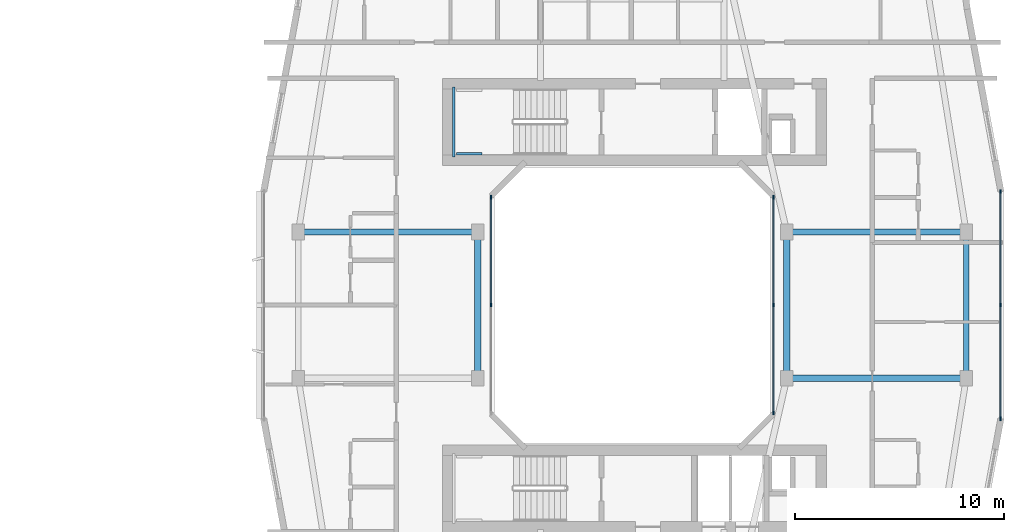
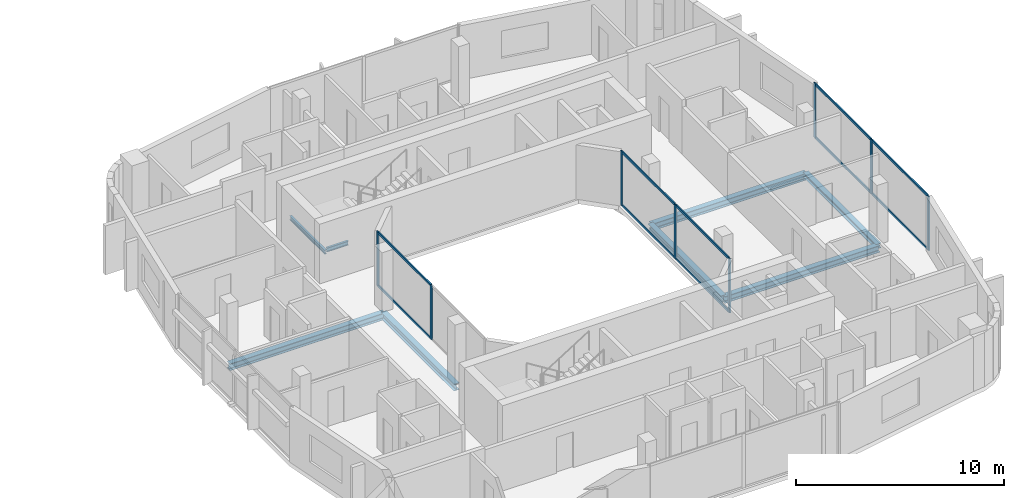
# One storey, part 9 of 25: 18 members, 8 beams, 3 elements without a shape of their own.
"""IFC4 building model written with IfcOpenShell, lengths in metres."""

from ifc_helpers import new_model, si_unit, derived_unit, direction, frame, origin, origin_2d, place, context, subcontext, project, spatial, rectangle, i_section, extrude, material, layer, layer_set, material_profile, profile_set, type_object, element, aggregate, save


model = new_model("IFC4")

# Units and contexts
model_context = context("Model", 3, precision=1e-05, world=origin(), true_north=direction((0.0, 1.0)))
body_context = subcontext(model_context, "Body", "Model", "MODEL_VIEW")
ifc_project = project(units=[si_unit("LENGTHUNIT", "METRE"), si_unit("AREAUNIT", "SQUARE_METRE"), si_unit("VOLUMEUNIT", "CUBIC_METRE"), si_unit("PLANEANGLEUNIT", "RADIAN"), si_unit("MASSUNIT", "GRAM", prefix="KILO"), derived_unit("THERMALTRANSMITTANCEUNIT", [(si_unit("POWERUNIT", "WATT"), 1), (si_unit("LENGTHUNIT", "METRE"), -2), (si_unit("THERMODYNAMICTEMPERATUREUNIT", "KELVIN"), -1)])], contexts=[model_context])

# Site, building, storey
site_placement = place(None, origin())
site = spatial("IfcSite", under=ifc_project, at=site_placement, CompositionType="ELEMENT")
building_placement = place(site_placement, origin())
building = spatial("IfcBuilding", under=site, at=building_placement, Name="Kivonza Crest Hotel", CompositionType="ELEMENT")
storey_placement = place(building_placement, frame((0.0, 0.0, 87.0)))
storey = spatial("IfcBuildingStorey", under=building, at=storey_placement, Name="L23", CompositionType="ELEMENT", Elevation=87.0)

# Beams
ifc_material_1 = material(Name="Steel S355", Category="steel")
ifc_material_profile_1 = material_profile(ifc_material_1, i_section(OverallWidth=0.280029296875, OverallDepth=0.280029296875, WebThickness=0.010498046875, FlangeThickness=0.01806640625, FilletRadius=0.02392578125, at=origin_2d()), Name="HEB 280")
ifc_profile_set_1 = profile_set([ifc_material_profile_1], Name="Steel S355")
beam_type_1 = type_object("IfcBeamType", Name="BM-HEB280", PredefinedType="SPANDREL", material=ifc_profile_set_1)
beam_1_placement = place(storey_placement, frame((93.0, 21.5, -0.389892578125), z_axis=(0.0, 1.0, 0.0), x_axis=(-1.0, 0.0, 0.0)))
element("IfcBeam", 1, at=beam_1_placement, inside=storey, type_object=beam_type_1, Name="Companion Tower T2 L23 perimeter spandrel E1-E2", PredefinedType="SPANDREL", context=body_context, shape_type="SweptSolid", body=[
    extrude(i_section(OverallWidth=0.280029296875, OverallDepth=0.280029296875, WebThickness=0.010498046875, FlangeThickness=0.01806640625, FilletRadius=0.02392578125, at=origin_2d()), origin(), (0.0, 0.0, 1.0), 7.0),
])
ifc_material_profile_2 = material_profile(ifc_material_1, i_section(OverallWidth=0.300048828125, OverallDepth=0.39990234375, WebThickness=0.013427734375, FlangeThickness=0.02392578125, FilletRadius=0.027099609375, at=origin_2d()), Name="HEB 400")
ifc_profile_set_2 = profile_set([ifc_material_profile_2], Name="Steel S355")
beam_type_2 = type_object("IfcBeamType", Name="BM-HEB400", PredefinedType="BEAM", material=ifc_profile_set_2)
beam_2_placement = place(storey_placement, frame((61.0, 28.5, -0.449951171875), z_axis=(1.0, 0.0, 0.0), x_axis=(0.0, 1.0, 0.0)))
element("IfcBeam", 2, at=beam_2_placement, inside=storey, type_object=beam_type_2, Name="Companion Tower T2 L23 girder W2-WL2", PredefinedType="BEAM", context=body_context, shape_type="SweptSolid", body=[
    extrude(i_section(OverallWidth=0.300048828125, OverallDepth=0.39990234375, WebThickness=0.013427734375, FlangeThickness=0.02392578125, FilletRadius=0.027099609375, at=origin_2d()), origin(), (0.0, 0.0, 1.0), 8.60009765625),
])
beam_3_placement = place(storey_placement, frame((69.60009765625, 21.5, -0.449951171875), z_axis=(0.0, 1.0, 0.0), x_axis=(-1.0, 0.0, 0.0)))
element("IfcBeam", 3, at=beam_3_placement, inside=storey, type_object=beam_type_2, Name="Companion Tower T2 L23 girder WL1-WL2", PredefinedType="BEAM", context=body_context, shape_type="SweptSolid", body=[
    extrude(i_section(OverallWidth=0.300048828125, OverallDepth=0.39990234375, WebThickness=0.013427734375, FlangeThickness=0.02392578125, FilletRadius=0.027099609375, at=origin_2d()), origin(), (0.0, 0.0, 1.0), 7.0),
])
for number, where, z_axis, x_axis, name in (
    (4, (84.39990234375, 21.5, -0.449951171875), (1.0, 0.0, 0.0), (0.0, 1.0, 0.0), "Companion Tower T2 L23 girder WR1-E1"),
    (5, (84.39990234375, 28.5, -0.449951171875), (1.0, 0.0, 0.0), (0.0, 1.0, 0.0), "Companion Tower T2 L23 girder WR2-E2"),
):
    element("IfcBeam", number, at=place(storey_placement, frame(where, z_axis=z_axis, x_axis=x_axis)), inside=storey, type_object=beam_type_2, Name=name, PredefinedType="BEAM", context=body_context, shape_type="SweptSolid", body=[
        extrude(i_section(OverallWidth=0.300048828125, OverallDepth=0.39990234375, WebThickness=0.013427734375, FlangeThickness=0.02392578125, FilletRadius=0.027099609375, at=origin_2d()), origin(), (0.0, 0.0, 1.0), 8.60009765625),
    ])
beam_4_placement = place(storey_placement, frame((84.39990234375, 21.5, -0.449951171875), z_axis=(0.0, 1.0, 0.0), x_axis=(-1.0, 0.0, 0.0)))
element("IfcBeam", 6, at=beam_4_placement, inside=storey, type_object=beam_type_2, Name="Companion Tower T2 L23 girder WR1-WR2", PredefinedType="BEAM", context=body_context, shape_type="SweptSolid", body=[
    extrude(i_section(OverallWidth=0.300048828125, OverallDepth=0.39990234375, WebThickness=0.013427734375, FlangeThickness=0.02392578125, FilletRadius=0.027099609375, at=origin_2d()), origin(), (0.0, 0.0, 1.0), 7.0),
])
ifc_material_profile_3 = material_profile(ifc_material_1, i_section(OverallWidth=0.1201171875, OverallDepth=0.239990234375, WebThickness=0.006103515625, FlangeThickness=0.009765625, FilletRadius=0.014892578125, at=origin_2d()), Name="IPE 240")
ifc_profile_set_3 = profile_set([ifc_material_profile_3], Name="Steel S355")
beam_type_3 = type_object("IfcBeamType", Name="BM-LLDG-240", PredefinedType="BEAM", material=ifc_profile_set_3)
beam_5_placement = place(storey_placement, frame((68.4599609375, 32.10009765625, 1.429931640625), z_axis=(0.0, 1.0, 0.0), x_axis=(-1.0, 0.0, 0.0)))
element("IfcBeam", 7, at=beam_5_placement, inside=storey, type_object=beam_type_3, Name="Stair ST-T2-N L23 West landing corbel", PredefinedType="BEAM", context=body_context, shape_type="SweptSolid", body=[
    extrude(i_section(OverallWidth=0.1201171875, OverallDepth=0.239990234375, WebThickness=0.006103515625, FlangeThickness=0.009765625, FilletRadius=0.014892578125, at=origin_2d()), origin(), (0.0, 0.0, 1.0), 3.35986328125),
])
beam_6_placement = place(storey_placement, frame((68.590087890625, 32.260009765625, 1.429931640625), z_axis=(1.0, 0.0, 0.0), x_axis=(0.0, 1.0, 0.0)))
element("IfcBeam", 8, at=beam_6_placement, inside=storey, type_object=beam_type_3, Name="Stair ST-T2-N L23 South landing corbel", PredefinedType="BEAM", context=body_context, shape_type="SweptSolid", body=[
    extrude(i_section(OverallWidth=0.1201171875, OverallDepth=0.239990234375, WebThickness=0.006103515625, FlangeThickness=0.009765625, FilletRadius=0.014892578125, at=origin_2d()), origin(), (0.0, 0.0, 1.0), 1.2099609375),
])

# Curtain wall, members
ifc_material_2 = material(Name="Anodised bronze aluminium and low-E double glazing", Category="aluminium")
ifc_layer_1 = layer(ifc_material_2, 0.179931640625)
ifc_layer_set_1 = layer_set([ifc_layer_1], Name="Anodised bronze aluminium and low-E double glazing")
curtain_wall_type_1 = type_object("IfcCurtainWallType", Name="CW-SYS-4", PredefinedType="NOTDEFINED", material=ifc_layer_set_1)
curtain_wall_1_placement = place(storey_placement, origin())
curtain_wall_1 = element("IfcCurtainWall", 9, at=curtain_wall_1_placement, inside=storey, type_object=curtain_wall_type_1, Name="L23 unitised curtain wall CW-T2-L23-17", PredefinedType="NOTDEFINED")
ifc_material_3 = material(Name="Anodised bronze aluminium", Category="aluminium")
ifc_material_profile_4 = material_profile(ifc_material_3, rectangle(XDim=0.06494140625, YDim=0.179931640625, at=origin_2d()), Name="CW-M 65x180")
ifc_profile_set_4 = profile_set([ifc_material_profile_4], Name="Anodised bronze aluminium")
member_type_1 = type_object("IfcMemberType", Name="CW-MUL-65x180", PredefinedType="MULLION", material=ifc_profile_set_4)
member_1_placement = place(storey_placement, frame((94.639892578125, 19.552490234375, 0.0), z_axis=(0.0, 0.0, 1.0), x_axis=(-1.0, 0.0, 0.0)))
member_1 = element("IfcMember", 10, at=member_1_placement, type_object=member_type_1, Name="CW-4 mullion 1", PredefinedType="MULLION", context=body_context, shape_type="SweptSolid", body=[
    extrude(rectangle(XDim=0.06494140625, YDim=0.179931640625, at=origin_2d()), origin(), (0.0, 0.0, 1.0), 3.179931640625),
])
member_2_placement = place(storey_placement, frame((94.639892578125, 25.0, 0.0), z_axis=(0.0, 0.0, 1.0), x_axis=(-1.0, 0.0, 0.0)))
member_2 = element("IfcMember", 11, at=member_2_placement, type_object=member_type_1, Name="CW-4 mullion 2", PredefinedType="MULLION", context=body_context, shape_type="SweptSolid", body=[
    extrude(rectangle(XDim=0.06494140625, YDim=0.179931640625, at=origin_2d()), origin(), (0.0, 0.0, 1.0), 3.179931640625),
])
member_3_placement = place(storey_placement, frame((94.639892578125, 30.447509765625, 0.0), z_axis=(0.0, 0.0, 1.0), x_axis=(-1.0, 0.0, 0.0)))
member_3 = element("IfcMember", 12, at=member_3_placement, type_object=member_type_1, Name="CW-4 mullion 3", PredefinedType="MULLION", context=body_context, shape_type="SweptSolid", body=[
    extrude(rectangle(XDim=0.06494140625, YDim=0.179931640625, at=origin_2d()), origin(), (0.0, 0.0, 1.0), 3.179931640625),
])

ifc_layer_2 = layer(ifc_material_2, 0.159912109375)
ifc_layer_set_2 = layer_set([ifc_layer_2], Name="Anodised bronze aluminium and low-E double glazing")
curtain_wall_type_2 = type_object("IfcCurtainWallType", Name="CW-SYS-5", PredefinedType="NOTDEFINED", material=ifc_layer_set_2)
curtain_wall_2_placement = place(storey_placement, origin())
curtain_wall_2 = element("IfcCurtainWall", 13, at=curtain_wall_2_placement, inside=storey, type_object=curtain_wall_type_2, Name="L23 unitised curtain wall CW-WELL-T2-L23-3", PredefinedType="NOTDEFINED")
member_4_placement = place(storey_placement, frame((83.760009765625, 19.83251953125, 0.0), z_axis=(0.0, 0.0, 1.0), x_axis=(-1.0, 0.0, 0.0)))
member_4 = element("IfcMember", 14, at=member_4_placement, type_object=member_type_1, Name="CW-5 mullion 1", PredefinedType="MULLION", context=body_context, shape_type="SweptSolid", body=[
    extrude(rectangle(XDim=0.06494140625, YDim=0.179931640625, at=origin_2d()), origin(), (0.0, 0.0, 1.0), 3.179931640625),
])
member_5_placement = place(storey_placement, frame((83.760009765625, 25.0, 0.0), z_axis=(0.0, 0.0, 1.0), x_axis=(-1.0, 0.0, 0.0)))
member_5 = element("IfcMember", 15, at=member_5_placement, type_object=member_type_1, Name="CW-5 mullion 2", PredefinedType="MULLION", context=body_context, shape_type="SweptSolid", body=[
    extrude(rectangle(XDim=0.06494140625, YDim=0.179931640625, at=origin_2d()), origin(), (0.0, 0.0, 1.0), 3.179931640625),
])
member_6_placement = place(storey_placement, frame((83.760009765625, 30.16748046875, 0.0), z_axis=(0.0, 0.0, 1.0), x_axis=(-1.0, 0.0, 0.0)))
member_6 = element("IfcMember", 16, at=member_6_placement, type_object=member_type_1, Name="CW-5 mullion 3", PredefinedType="MULLION", context=body_context, shape_type="SweptSolid", body=[
    extrude(rectangle(XDim=0.06494140625, YDim=0.179931640625, at=origin_2d()), origin(), (0.0, 0.0, 1.0), 3.179931640625),
])

curtain_wall_3_placement = place(storey_placement, origin())
curtain_wall_3 = element("IfcCurtainWall", 17, at=curtain_wall_3_placement, inside=storey, type_object=curtain_wall_type_2, Name="L23 unitised curtain wall CW-WELL-T2-L23-7", PredefinedType="NOTDEFINED")
member_7_placement = place(storey_placement, frame((70.239990234375, 30.16748046875, 0.0), z_axis=(0.0, 0.0, 1.0), x_axis=(1.0, 0.0, 0.0)))
member_7 = element("IfcMember", 18, at=member_7_placement, type_object=member_type_1, Name="CW-5 mullion 1", PredefinedType="MULLION", context=body_context, shape_type="SweptSolid", body=[
    extrude(rectangle(XDim=0.06494140625, YDim=0.179931640625, at=origin_2d()), origin(), (0.0, 0.0, 1.0), 3.179931640625),
])
member_8_placement = place(storey_placement, frame((70.239990234375, 25.0, 0.0), z_axis=(0.0, 0.0, 1.0), x_axis=(1.0, 0.0, 0.0)))
member_8 = element("IfcMember", 19, at=member_8_placement, type_object=member_type_1, Name="CW-5 mullion 2", PredefinedType="MULLION", context=body_context, shape_type="SweptSolid", body=[
    extrude(rectangle(XDim=0.06494140625, YDim=0.179931640625, at=origin_2d()), origin(), (0.0, 0.0, 1.0), 3.179931640625),
])

# Member
ifc_material_profile_5 = material_profile(ifc_material_3, rectangle(XDim=0.06494140625, YDim=0.139892578125, at=origin_2d()), Name="CW-T 65x140")
ifc_profile_set_5 = profile_set([ifc_material_profile_5], Name="Anodised bronze aluminium")
member_type_2 = type_object("IfcMemberType", Name="CW-TRN-65x140", PredefinedType="USERDEFINED", material=ifc_profile_set_5)
member_9_placement = place(storey_placement, frame((94.639892578125, 19.5849609375, 0.032470703125), z_axis=(0.0, 1.0, 0.0), x_axis=(-1.0, 0.0, 0.0)))
member_9 = element("IfcMember", 20, at=member_9_placement, type_object=member_type_2, Name="CW-4 transom 1.1", ObjectType="TRANSOM", PredefinedType="USERDEFINED", context=body_context, shape_type="SweptSolid", body=[
    extrude(rectangle(XDim=0.06494140625, YDim=0.139892578125, at=origin_2d()), origin(), (0.0, 0.0, 1.0), 5.382568359375),
])

member_10_placement = place(storey_placement, frame((94.639892578125, 19.5849609375, 3.1474609375), z_axis=(0.0, 1.0, 0.0), x_axis=(-1.0, 0.0, 0.0)))
member_10 = element("IfcMember", 21, at=member_10_placement, type_object=member_type_2, Name="CW-4 transom 1.2", ObjectType="TRANSOM", PredefinedType="USERDEFINED", context=body_context, shape_type="SweptSolid", body=[
    extrude(rectangle(XDim=0.06494140625, YDim=0.139892578125, at=origin_2d()), origin(), (0.0, 0.0, 1.0), 5.382568359375),
])

member_11_placement = place(storey_placement, frame((94.639892578125, 25.032470703125, 0.032470703125), z_axis=(0.0, 1.0, 0.0), x_axis=(-1.0, 0.0, 0.0)))
member_11 = element("IfcMember", 22, at=member_11_placement, type_object=member_type_2, Name="CW-4 transom 2.1", ObjectType="TRANSOM", PredefinedType="USERDEFINED", context=body_context, shape_type="SweptSolid", body=[
    extrude(rectangle(XDim=0.06494140625, YDim=0.139892578125, at=origin_2d()), origin(), (0.0, 0.0, 1.0), 5.382568359375),
])

member_12_placement = place(storey_placement, frame((94.639892578125, 25.032470703125, 3.1474609375), z_axis=(0.0, 1.0, 0.0), x_axis=(-1.0, 0.0, 0.0)))
member_12 = element("IfcMember", 23, at=member_12_placement, type_object=member_type_2, Name="CW-4 transom 2.2", ObjectType="TRANSOM", PredefinedType="USERDEFINED", context=body_context, shape_type="SweptSolid", body=[
    extrude(rectangle(XDim=0.06494140625, YDim=0.139892578125, at=origin_2d()), origin(), (0.0, 0.0, 1.0), 5.382568359375),
])

aggregate(curtain_wall_1, [member_1, member_2, member_3, member_9, member_10, member_11, member_12])

member_13_placement = place(storey_placement, frame((83.760009765625, 19.864990234375, 0.032470703125), z_axis=(0.0, 1.0, 0.0), x_axis=(-1.0, 0.0, 0.0)))
member_13 = element("IfcMember", 24, at=member_13_placement, type_object=member_type_2, Name="CW-5 transom 1.1", ObjectType="TRANSOM", PredefinedType="USERDEFINED", context=body_context, shape_type="SweptSolid", body=[
    extrude(rectangle(XDim=0.06494140625, YDim=0.139892578125, at=origin_2d()), origin(), (0.0, 0.0, 1.0), 5.1025390625),
])

member_14_placement = place(storey_placement, frame((83.760009765625, 19.864990234375, 3.1474609375), z_axis=(0.0, 1.0, 0.0), x_axis=(-1.0, 0.0, 0.0)))
member_14 = element("IfcMember", 25, at=member_14_placement, type_object=member_type_2, Name="CW-5 transom 1.2", ObjectType="TRANSOM", PredefinedType="USERDEFINED", context=body_context, shape_type="SweptSolid", body=[
    extrude(rectangle(XDim=0.06494140625, YDim=0.139892578125, at=origin_2d()), origin(), (0.0, 0.0, 1.0), 5.1025390625),
])

member_15_placement = place(storey_placement, frame((83.760009765625, 25.032470703125, 0.032470703125), z_axis=(0.0, 1.0, 0.0), x_axis=(-1.0, 0.0, 0.0)))
member_15 = element("IfcMember", 26, at=member_15_placement, type_object=member_type_2, Name="CW-5 transom 2.1", ObjectType="TRANSOM", PredefinedType="USERDEFINED", context=body_context, shape_type="SweptSolid", body=[
    extrude(rectangle(XDim=0.06494140625, YDim=0.139892578125, at=origin_2d()), origin(), (0.0, 0.0, 1.0), 5.1025390625),
])

member_16_placement = place(storey_placement, frame((83.760009765625, 25.032470703125, 3.1474609375), z_axis=(0.0, 1.0, 0.0), x_axis=(-1.0, 0.0, 0.0)))
member_16 = element("IfcMember", 27, at=member_16_placement, type_object=member_type_2, Name="CW-5 transom 2.2", ObjectType="TRANSOM", PredefinedType="USERDEFINED", context=body_context, shape_type="SweptSolid", body=[
    extrude(rectangle(XDim=0.06494140625, YDim=0.139892578125, at=origin_2d()), origin(), (0.0, 0.0, 1.0), 5.1025390625),
])

aggregate(curtain_wall_2, [member_4, member_5, member_6, member_13, member_14, member_15, member_16])

member_17_placement = place(storey_placement, frame((70.239990234375, 30.135009765625, 0.032470703125), z_axis=(0.0, -1.0, 0.0), x_axis=(1.0, 0.0, 0.0)))
member_17 = element("IfcMember", 28, at=member_17_placement, type_object=member_type_2, Name="CW-5 transom 1.1", ObjectType="TRANSOM", PredefinedType="USERDEFINED", context=body_context, shape_type="SweptSolid", body=[
    extrude(rectangle(XDim=0.06494140625, YDim=0.139892578125, at=origin_2d()), origin(), (0.0, 0.0, 1.0), 5.1025390625),
])

member_18_placement = place(storey_placement, frame((70.239990234375, 30.135009765625, 3.1474609375), z_axis=(0.0, -1.0, 0.0), x_axis=(1.0, 0.0, 0.0)))
member_18 = element("IfcMember", 29, at=member_18_placement, type_object=member_type_2, Name="CW-5 transom 1.2", ObjectType="TRANSOM", PredefinedType="USERDEFINED", context=body_context, shape_type="SweptSolid", body=[
    extrude(rectangle(XDim=0.06494140625, YDim=0.139892578125, at=origin_2d()), origin(), (0.0, 0.0, 1.0), 5.1025390625),
])

aggregate(curtain_wall_3, [member_7, member_8, member_17, member_18])

save(model, "model.ifc")
